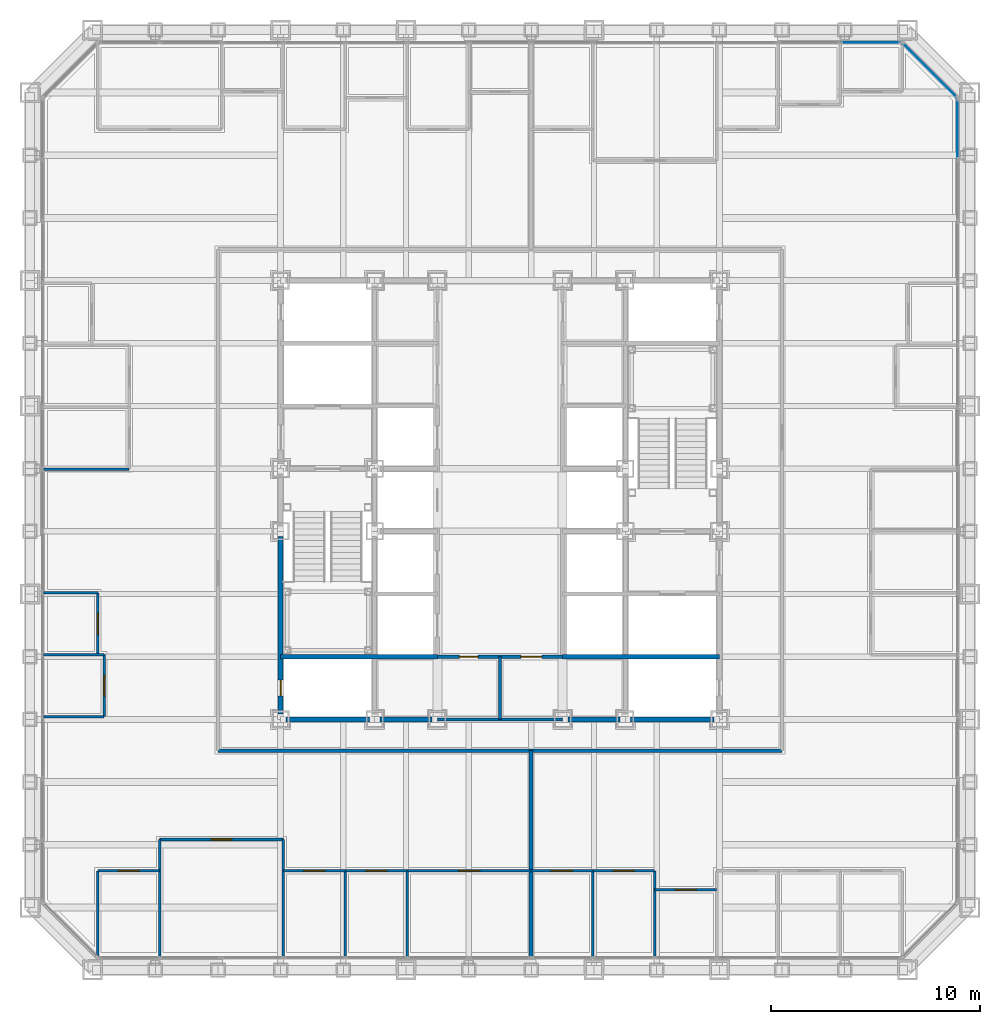
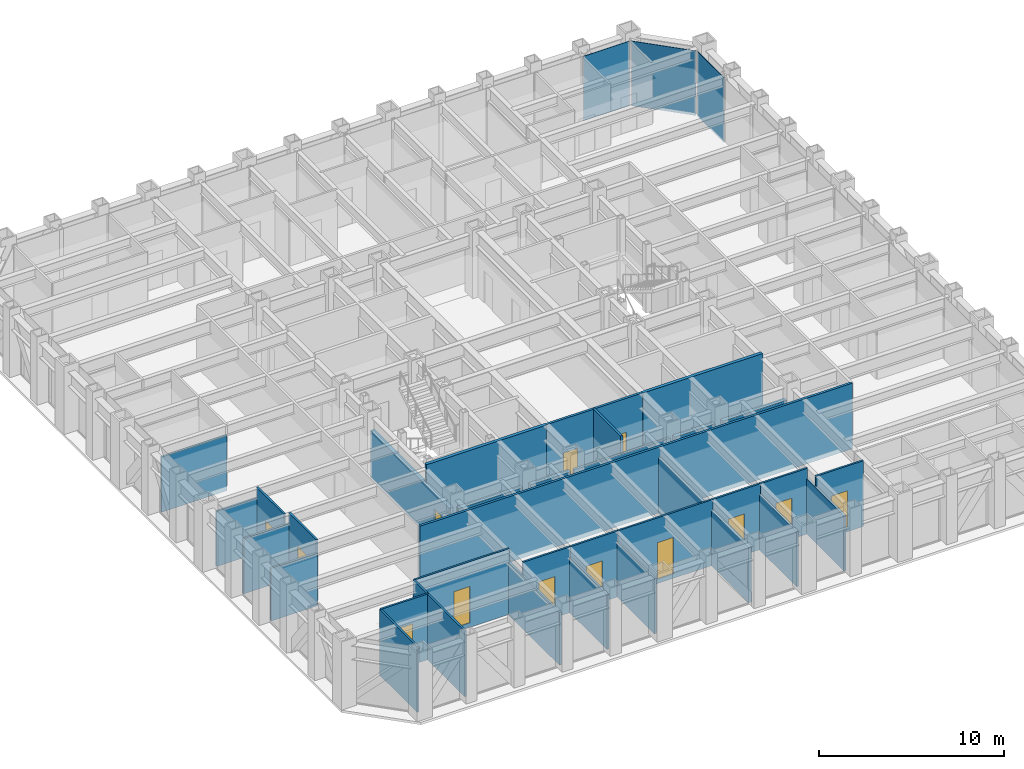
# One storey, part 8 of 16: 33 walls, 13 doors, 3 plates, 13 openings, 3 elements without a shape of their own.
"""IFC4 building model written with IfcOpenShell, lengths in metres."""

from ifc_helpers import new_model, si_unit, direction, frame, frame_2d, origin, origin_2d, place, context, subcontext, project, spatial, rectangle, extrude, material, layer, layer_set, type_object, element, fill, aggregate, save


model = new_model("IFC4")

# Units and contexts
model_context = context("Model", 3, precision=1e-05, world=origin(), true_north=direction((0.0, 1.0)))
body_context = subcontext(model_context, "Body", "Model", "MODEL_VIEW")
ifc_project = project(units=[si_unit("LENGTHUNIT", "METRE"), si_unit("AREAUNIT", "SQUARE_METRE"), si_unit("VOLUMEUNIT", "CUBIC_METRE"), si_unit("PLANEANGLEUNIT", "RADIAN"), si_unit("MASSUNIT", "GRAM", prefix="KILO")], contexts=[model_context])

# Site, building, storey
site_placement = place(None, origin())
site = spatial("IfcSite", under=ifc_project, at=site_placement, CompositionType="ELEMENT")
building_placement = place(site_placement, origin())
building = spatial("IfcBuilding", under=site, at=building_placement, Name="Chuquiago Exchange Tower", CompositionType="ELEMENT")
storey_placement = place(building_placement, frame((0.0, 0.0, 51.300048828125)))
storey = spatial("IfcBuildingStorey", under=building, at=storey_placement, Name="L10", CompositionType="ELEMENT", Elevation=51.300048828125)

# Curtain wall, plate
ifc_material_1 = material(Name="Aluminium curtain wall system", Category="aluminium")
ifc_layer_1 = layer(ifc_material_1, 0.25)
ifc_layer_set_1 = layer_set([ifc_layer_1], Name="CW1 trading floor curtain wall")
curtain_wall_type_1 = type_object("IfcCurtainWallType", Name="CW1 trading floor curtain wall", PredefinedType="NOTDEFINED", material=ifc_layer_set_1)
curtain_wall_1_placement = place(storey_placement, origin())
curtain_wall_1 = element("IfcCurtainWall", 1, at=curtain_wall_1_placement, inside=storey, type_object=curtain_wall_type_1, Name="CW1 curtain wall L10", PredefinedType="NOTDEFINED")
ifc_material_2 = material(Name="Insulated spandrel panel, pale anodised aluminium", Category="aluminium")
ifc_layer_2 = layer(ifc_material_2, 0.031982421875)
ifc_layer_set_2 = layer_set([ifc_layer_2], Name="CW1-P spandrel panel 32")
plate_type_1 = type_object("IfcPlateType", Name="CW1-P spandrel panel 32", PredefinedType="CURTAIN_PANEL", material=ifc_layer_set_2)
plate_1_placement = place(storey_placement, frame((44.39990234375, 40.251953125, -0.22509765625), z_axis=(0.0, 0.0, 1.0), x_axis=(0.0, 1.0, 0.0)))
plate_1 = element("IfcPlate", 2, at=plate_1_placement, type_object=plate_type_1, Name="CW1 panel 13.1", PredefinedType="CURTAIN_PANEL", context=body_context, shape_type="SweptSolid", body=[
    extrude(rectangle(XDim=2.849365234375, YDim=0.031982421875, at=origin_2d()), origin(), (0.0, 0.0, 1.0), 4.264892578125),
])
aggregate(curtain_wall_1, [plate_1])

curtain_wall_2_placement = place(storey_placement, origin())
curtain_wall_2 = element("IfcCurtainWall", 3, at=curtain_wall_2_placement, inside=storey, type_object=curtain_wall_type_1, Name="CW1 curtain wall L10", PredefinedType="NOTDEFINED")
plate_2_placement = place(storey_placement, frame((40.251953125, 44.39990234375, -0.22509765625), z_axis=(0.0, 0.0, 1.0), x_axis=(-1.0, 0.0, 0.0)))
plate_2 = element("IfcPlate", 4, at=plate_2_placement, type_object=plate_type_1, Name="CW1 panel 1.1", PredefinedType="CURTAIN_PANEL", context=body_context, shape_type="SweptSolid", body=[
    extrude(rectangle(XDim=2.849365234375, YDim=0.031982421875, at=origin_2d()), origin(), (0.0, 0.0, 1.0), 4.264892578125),
])
aggregate(curtain_wall_2, [plate_2])

ifc_material_3 = material(Name="Aluminium curtain wall system", Category="aluminium")
ifc_layer_3 = layer(ifc_material_3, 0.199951171875)
ifc_layer_set_3 = layer_set([ifc_layer_3], Name="CW3 facet curtain wall")
curtain_wall_type_2 = type_object("IfcCurtainWallType", Name="CW3 facet curtain wall", PredefinedType="NOTDEFINED", material=ifc_layer_set_3)
curtain_wall_3_placement = place(storey_placement, origin())
curtain_wall_3 = element("IfcCurtainWall", 5, at=curtain_wall_3_placement, inside=storey, type_object=curtain_wall_type_2, Name="CW3 curtain wall L10", PredefinedType="NOTDEFINED")
ifc_material_4 = material(Name="Insulated spandrel panel, pale anodised aluminium", Category="aluminium")
ifc_layer_4 = layer(ifc_material_4, 0.030029296875)
ifc_layer_set_4 = layer_set([ifc_layer_4], Name="CW3-P spandrel panel 30")
plate_type_2 = type_object("IfcPlateType", Name="CW3-P spandrel panel 30", PredefinedType="CURTAIN_PANEL", material=ifc_layer_set_4)
plate_3_placement = place(storey_placement, frame((43.07568359375, 43.07568359375, -0.235107421875), z_axis=(0.0, 0.0, 1.0), x_axis=(-0.707106781187, 0.707106781187, 0.0)))
plate_3 = element("IfcPlate", 6, at=plate_3_placement, type_object=plate_type_2, Name="CW3 panel 1.1", PredefinedType="CURTAIN_PANEL", context=body_context, shape_type="SweptSolid", body=[
    extrude(rectangle(XDim=3.615478515625, YDim=0.030029296875, at=origin_2d()), origin(), (0.0, 0.0, 1.0), 4.27490234375),
])
aggregate(curtain_wall_3, [plate_3])

# Wall, opening, door
ifc_material_5 = material(Name="Concrete masonry, fully grouted", Category="masonry")
ifc_layer_5 = layer(ifc_material_5, 0.25)
ifc_layer_set_5 = layer_set([ifc_layer_5], Name="W1 core wall 250")
wall_type_1 = type_object("IfcWallType", Name="W1 core wall 250", PredefinedType="SOLIDWALL", material=ifc_layer_set_5)
wall_1_placement = place(storey_placement, frame((12.0, 12.25, 0.0), z_axis=(0.0, 0.0, 1.0), x_axis=(0.0, 1.0, 0.0)))
wall_1 = element("IfcWall", 7, at=wall_1_placement, inside=storey, type_object=wall_type_1, Name="CW-L10-00-0", PredefinedType="SOLIDWALL", context=body_context, shape_type="SweptSolid", body=[
    extrude(rectangle(XDim=8.5, YDim=0.25, at=frame_2d((4.25, 0.0))), origin(), (0.0, 0.0, 1.0), 3.11279296875),
])
opening_1_placement = place(wall_1_placement, frame((0.875, 0.0, 0.0)))
opening_1 = element("IfcOpeningElement", 8, at=opening_1_placement, cuts=wall_1, Name="Opening L10-007", PredefinedType="OPENING", context=body_context, shape_type="SweptSolid", body=[
    extrude(rectangle(XDim=0.75, YDim=2.10009765625, at=frame_2d((0.375, 1.050048828125))), frame((0.0, 0.135009765625, 0.0), z_axis=(0.0, -1.0, 0.0), x_axis=(1.0, 0.0, 0.0)), (0.0, 0.0, 1.0), 0.27001953125),
])
ifc_material_6 = material(Name="Steel door, painted", Category="steel")
door_type_1 = type_object("IfcDoorType", Name="D6 riser access door 750x2100", OperationType="SINGLE_SWING_LEFT", PredefinedType="DOOR", material=ifc_material_6)
door_1_placement = place(opening_1_placement, origin())
door_1 = element("IfcDoor", 9, at=door_1_placement, inside=storey, type_object=door_type_1, Name="Riser RW1 door", OperationType="SINGLE_SWING_LEFT", OverallHeight=2.10009765625, OverallWidth=0.75, PredefinedType="DOOR", context=body_context, shape_type="SweptSolid", body=[
    extrude(rectangle(XDim=0.75, YDim=2.10009765625, at=frame_2d((0.375, 1.050048828125))), frame((0.0, 0.02490234375, 0.0), z_axis=(0.0, -1.0, 0.0), x_axis=(1.0, 0.0, 0.0)), (0.0, 0.0, 1.0), 0.050048828125),
])
fill(opening_1, door_1)

# Walls
wall_2_placement = place(storey_placement, frame((12.25, 12.0, 0.0), z_axis=(0.0, 0.0, 1.0), x_axis=(1.0, 0.0, 0.0)))
element("IfcWall", 10, at=wall_2_placement, inside=storey, type_object=wall_type_1, Name="CW-L10-01-0", PredefinedType="SOLIDWALL", context=body_context, shape_type="SweptSolid", body=[
    extrude(rectangle(XDim=4.0, YDim=0.25, at=frame_2d((2.0, 0.0))), origin(), (0.0, 0.0, 1.0), 3.181396484375),
])
for number, where, z_axis, x_axis, name in (
    (11, (16.75, 12.0, 0.0), (0.0, 0.0, 1.0), (1.0, 0.0, 0.0), "CW-L10-01-1"),
    (12, (25.75, 12.0, 0.0), (0.0, 0.0, 1.0), (1.0, 0.0, 0.0), "CW-L10-02-0"),
):
    element("IfcWall", number, at=place(storey_placement, frame(where, z_axis=z_axis, x_axis=x_axis)), inside=storey, type_object=wall_type_1, Name=name, PredefinedType="SOLIDWALL", context=body_context, shape_type="SweptSolid", body=[
        extrude(rectangle(XDim=2.5, YDim=0.25, at=frame_2d((1.25, 0.0))), origin(), (0.0, 0.0, 1.0), 3.181396484375),
    ])
wall_3_placement = place(storey_placement, frame((28.75, 12.0, 0.0), z_axis=(0.0, 0.0, 1.0), x_axis=(1.0, 0.0, 0.0)))
element("IfcWall", 13, at=wall_3_placement, inside=storey, type_object=wall_type_1, Name="CW-L10-02-1", PredefinedType="SOLIDWALL", context=body_context, shape_type="SweptSolid", body=[
    extrude(rectangle(XDim=4.0, YDim=0.25, at=frame_2d((2.0, 0.0))), origin(), (0.0, 0.0, 1.0), 3.181396484375),
])
ifc_material_7 = material(Name="Gypsum board on steel studs, acoustic insulation", Category="steel")
ifc_layer_6 = layer(ifc_material_7, 0.14990234375)
ifc_layer_set_6 = layer_set([ifc_layer_6], Name="W11 corridor wall 150")
wall_type_2 = type_object("IfcWallType", Name="W11 corridor wall 150", PredefinedType="PARTITIONING", material=ifc_layer_set_6)
wall_4_placement = place(storey_placement, frame((9.0, 10.5, -0.300048828125), z_axis=(0.0, 0.0, 1.0), x_axis=(1.0, 0.0, 0.0)))
element("IfcWall", 14, at=wall_4_placement, inside=storey, type_object=wall_type_2, Name="PW-L10-CS", PredefinedType="PARTITIONING", context=body_context, shape_type="SweptSolid", body=[
    extrude(rectangle(XDim=27.0, YDim=0.14990234375, at=frame_2d((13.5, 0.0))), origin(), (0.0, 0.0, 1.0), 4.340087890625),
])
ifc_material_8 = material(Name="Gypsum board on twin steel studs, acoustic insulation", Category="steel")
ifc_layer_7 = layer(ifc_material_8, 0.175048828125)
ifc_layer_set_7 = layer_set([ifc_layer_7], Name="W12 tenant demising wall 175")
wall_type_3 = type_object("IfcWallType", Name="W12 tenant demising wall 175", PredefinedType="PARTITIONING", material=ifc_layer_set_7)
wall_5_placement = place(storey_placement, frame((23.98095703125, 0.657470703125, -0.300048828125), z_axis=(0.0, 0.0, 1.0), x_axis=(0.0, 1.0, 0.0)))
element("IfcWall", 15, at=wall_5_placement, inside=storey, type_object=wall_type_3, Name="PW-L10-DS02398", PredefinedType="PARTITIONING", context=body_context, shape_type="SweptSolid", body=[
    extrude(rectangle(XDim=9.842529296875, YDim=0.175048828125, at=frame_2d((4.92138671875, 0.0))), origin(), (0.0, 0.0, 1.0), 3.646484375),
])
ifc_material_9 = material(Name="Concrete masonry, fully grouted", Category="masonry")
ifc_layer_8 = layer(ifc_material_9, 0.199951171875)
ifc_layer_set_8 = layer_set([ifc_layer_8], Name="W2 shaft wall 200")
wall_type_4 = type_object("IfcWallType", Name="W2 shaft wall 200", PredefinedType="SOLIDWALL", material=ifc_layer_set_8)
for number, where, z_axis, x_axis, name in (
    (16, (12.0, 15.0, 0.0), (0.0, 0.0, 1.0), (1.0, 0.0, 0.0), "CW-L10-03-0"),
    (17, (25.5, 15.0, 0.0), (0.0, 0.0, 1.0), (1.0, 0.0, 0.0), "CW-L10-04-0"),
):
    element("IfcWall", number, at=place(storey_placement, frame(where, z_axis=z_axis, x_axis=x_axis)), inside=storey, type_object=wall_type_4, Name=name, PredefinedType="SOLIDWALL", context=body_context, shape_type="SweptSolid", body=[
        extrude(rectangle(XDim=7.5, YDim=0.199951171875, at=frame_2d((3.75, 0.0))), origin(), (0.0, 0.0, 1.0), 4.33984375),
    ])

# Wall, openings, doors
ifc_material_10 = material(Name="Gypsum board on steel studs", Category="steel")
ifc_layer_9 = layer(ifc_material_10, 0.14990234375)
ifc_layer_set_9 = layer_set([ifc_layer_9], Name="W3 core partition 150")
wall_type_5 = type_object("IfcWallType", Name="W3 core partition 150", PredefinedType="PARTITIONING", material=ifc_layer_set_9)
wall_6_placement = place(storey_placement, frame((19.5, 15.0, 0.0), z_axis=(0.0, 0.0, 1.0), x_axis=(1.0, 0.0, 0.0)))
wall_6 = element("IfcWall", 18, at=wall_6_placement, inside=storey, type_object=wall_type_5, Name="CW-L10-TF", PredefinedType="PARTITIONING", context=body_context, shape_type="SweptSolid", body=[
    extrude(rectangle(XDim=6.0, YDim=0.14990234375, at=frame_2d((3.0, 0.0))), origin(), (0.0, 0.0, 1.0), 4.33984375),
])
opening_2_placement = place(wall_6_placement, frame((4.0, 0.0, 0.0)))
opening_2 = element("IfcOpeningElement", 19, at=opening_2_placement, cuts=wall_6, Name="Opening L10-015", PredefinedType="OPENING", context=body_context, shape_type="SweptSolid", body=[
    extrude(rectangle(XDim=1.0, YDim=2.10009765625, at=frame_2d((0.5, 1.050048828125))), frame((0.0, 0.0849609375, 0.0), z_axis=(0.0, -1.0, 0.0), x_axis=(1.0, 0.0, 0.0)), (0.0, 0.0, 1.0), 0.169921875),
])
opening_3_placement = place(wall_6_placement, frame((1.050048828125, 0.0, 0.0)))
opening_3 = element("IfcOpeningElement", 20, at=opening_3_placement, cuts=wall_6, Name="Opening L10-016", PredefinedType="OPENING", context=body_context, shape_type="SweptSolid", body=[
    extrude(rectangle(XDim=0.89990234375, YDim=2.10009765625, at=frame_2d((0.449951171875, 1.050048828125))), frame((0.0, 0.0849609375, 0.0), z_axis=(0.0, -1.0, 0.0), x_axis=(1.0, 0.0, 0.0)), (0.0, 0.0, 1.0), 0.169921875),
])
ifc_material_11 = material(Name="Timber door, laminate faced", Category="wood")
door_type_2 = type_object("IfcDoorType", Name="D7 toilet door 900x2100", OperationType="SINGLE_SWING_LEFT", PredefinedType="DOOR", material=ifc_material_11)
door_2_placement = place(opening_3_placement, origin())
door_2 = element("IfcDoor", 21, at=door_2_placement, inside=storey, type_object=door_type_2, Name="Cleaner door", OperationType="SINGLE_SWING_LEFT", OverallHeight=2.10009765625, OverallWidth=0.89990234375, PredefinedType="DOOR", context=body_context, shape_type="SweptSolid", body=[
    extrude(rectangle(XDim=0.89990234375, YDim=2.10009765625, at=frame_2d((0.449951171875, 1.050048828125))), frame((0.0, 0.02490234375, 0.0), z_axis=(0.0, -1.0, 0.0), x_axis=(1.0, 0.0, 0.0)), (0.0, 0.0, 1.0), 0.050048828125),
])
fill(opening_3, door_2)
ifc_material_12 = material(Name="Timber door, laminate faced", Category="wood")
door_type_3 = type_object("IfcDoorType", Name="D8 accessible toilet door 1000x2100", OperationType="SLIDING_TO_LEFT", PredefinedType="DOOR", material=ifc_material_12)
door_3_placement = place(opening_2_placement, origin())
door_3 = element("IfcDoor", 22, at=door_3_placement, inside=storey, type_object=door_type_3, Name="Accessible WC door", OperationType="SLIDING_TO_LEFT", OverallHeight=2.10009765625, OverallWidth=1.0, PredefinedType="DOOR", context=body_context, shape_type="SweptSolid", body=[
    extrude(rectangle(XDim=1.0, YDim=2.10009765625, at=frame_2d((0.5, 1.050048828125))), frame((0.0, 0.02490234375, 0.0), z_axis=(0.0, -1.0, 0.0), x_axis=(1.0, 0.0, 0.0)), (0.0, 0.0, 1.0), 0.050048828125),
])
fill(opening_2, door_3)

# Walls
wall_7_placement = place(storey_placement, frame((22.5, 15.0, 0.0), z_axis=(0.0, 0.0, 1.0), x_axis=(0.0, -1.0, 0.0)))
element("IfcWall", 23, at=wall_7_placement, inside=storey, type_object=wall_type_5, Name="CW-L10-TM", PredefinedType="PARTITIONING", context=body_context, shape_type="SweptSolid", body=[
    extrude(rectangle(XDim=3.0, YDim=0.14990234375, at=frame_2d((1.5, 0.0))), origin(), (0.0, 0.0, 1.0), 4.33984375),
])
wall_8_placement = place(storey_placement, frame((19.5, 12.0, 0.0), z_axis=(0.0, 0.0, 1.0), x_axis=(1.0, 0.0, 0.0)))
element("IfcWall", 24, at=wall_8_placement, inside=storey, type_object=wall_type_5, Name="CW-L10-TB", PredefinedType="PARTITIONING", context=body_context, shape_type="SweptSolid", body=[
    extrude(rectangle(XDim=6.0, YDim=0.14990234375, at=frame_2d((3.0, 0.0))), origin(), (0.0, 0.0, 1.0), 3.181396484375),
])
ifc_material_13 = material(Name="Gypsum board on steel studs", Category="steel")
ifc_layer_10 = layer(ifc_material_13, 0.1201171875)
ifc_layer_set_10 = layer_set([ifc_layer_10], Name="W4 partition 120")
wall_type_6 = type_object("IfcWallType", Name="W4 partition 120", PredefinedType="PARTITIONING", material=ifc_layer_set_10)
wall_9_placement = place(storey_placement, frame((3.24853515625, 0.666015625, -0.300048828125), z_axis=(0.0, 0.0, 1.0), x_axis=(0.0, 1.0, 0.0)))
element("IfcWall", 25, at=wall_9_placement, inside=storey, type_object=wall_type_6, Name="PW-L10-S00325", PredefinedType="PARTITIONING", context=body_context, shape_type="SweptSolid", body=[
    extrude(rectangle(XDim=4.083984375, YDim=0.1201171875, at=frame_2d((2.0419921875, 0.0))), origin(), (0.0, 0.0, 1.0), 4.340087890625),
])
wall_10_placement = place(storey_placement, frame((6.210205078125, 0.657470703125, -0.300048828125), z_axis=(0.0, 0.0, 1.0), x_axis=(0.0, 1.0, 0.0)))
element("IfcWall", 26, at=wall_10_placement, inside=storey, type_object=wall_type_6, Name="PW-L10-S00621", PredefinedType="PARTITIONING", context=body_context, shape_type="SweptSolid", body=[
    extrude(rectangle(XDim=5.592529296875, YDim=0.1201171875, at=frame_2d((2.79638671875, 0.0))), origin(), (0.0, 0.0, 1.0), 4.340087890625),
])
wall_11_placement = place(storey_placement, frame((12.1337890625, 0.657470703125, -0.300048828125), z_axis=(0.0, 0.0, 1.0), x_axis=(0.0, 1.0, 0.0)))
element("IfcWall", 27, at=wall_11_placement, inside=storey, type_object=wall_type_6, Name="PW-L10-S01213", PredefinedType="PARTITIONING", context=body_context, shape_type="SweptSolid", body=[
    extrude(rectangle(XDim=5.592529296875, YDim=0.1201171875, at=frame_2d((2.79638671875, 0.0))), origin(), (0.0, 0.0, 1.0), 3.4814453125),
])
for number, where, z_axis, x_axis, name in (
    (28, (15.095703125, 0.657470703125, -0.300048828125), (0.0, 0.0, 1.0), (0.0, 1.0, 0.0), "PW-L10-S01510"),
    (29, (18.057373046875, 0.657470703125, -0.300048828125), (0.0, 0.0, 1.0), (0.0, 1.0, 0.0), "PW-L10-S01806"),
    (30, (26.942626953125, 0.657470703125, -0.300048828125), (0.0, 0.0, 1.0), (0.0, 1.0, 0.0), "PW-L10-S02694"),
    (31, (29.904296875, 0.657470703125, -0.300048828125), (0.0, 0.0, 1.0), (0.0, 1.0, 0.0), "PW-L10-S02990"),
):
    element("IfcWall", number, at=place(storey_placement, frame(where, z_axis=z_axis, x_axis=x_axis)), inside=storey, type_object=wall_type_6, Name=name, PredefinedType="PARTITIONING", context=body_context, shape_type="SweptSolid", body=[
        extrude(rectangle(XDim=4.092529296875, YDim=0.1201171875, at=frame_2d((2.04638671875, 0.0))), origin(), (0.0, 0.0, 1.0), 3.646484375),
    ])

# Wall, opening, door
wall_12_placement = place(storey_placement, frame((3.24853515625, 4.75, -0.300048828125), z_axis=(0.0, 0.0, 1.0), x_axis=(1.0, 0.0, 0.0)))
wall_12 = element("IfcWall", 32, at=wall_12_placement, inside=storey, type_object=wall_type_6, Name="PW-L10-SF00325", PredefinedType="PARTITIONING", context=body_context, shape_type="SweptSolid", body=[
    extrude(rectangle(XDim=2.961669921875, YDim=0.1201171875, at=frame_2d((1.48095703125, 0.0))), origin(), (0.0, 0.0, 1.0), 4.340087890625),
])
opening_4_placement = place(wall_12_placement, frame((0.98095703125, 0.0, 0.300048828125)))
opening_4 = element("IfcOpeningElement", 33, at=opening_4_placement, cuts=wall_12, Name="Opening L10-021", PredefinedType="OPENING", context=body_context, shape_type="SweptSolid", body=[
    extrude(rectangle(XDim=1.0, YDim=2.39990234375, at=frame_2d((0.5, 1.199951171875))), frame((0.0, 0.070068359375, 0.0), z_axis=(0.0, -1.0, 0.0), x_axis=(1.0, 0.0, 0.0)), (0.0, 0.0, 1.0), 0.14013671875),
])
ifc_material_14 = material(Name="Timber door, laminate faced", Category="wood")
door_type_4 = type_object("IfcDoorType", Name="D9 room door 1000x2400", OperationType="SINGLE_SWING_LEFT", PredefinedType="DOOR", material=ifc_material_14)
door_4_placement = place(opening_4_placement, frame((1.0, 0.0, 0.0), z_axis=(0.0, 0.0, 1.0), x_axis=(-1.0, 0.0, 0.0)))
door_4 = element("IfcDoor", 34, at=door_4_placement, inside=storey, type_object=door_type_4, Name="Trading support room door", OperationType="SINGLE_SWING_RIGHT", OverallHeight=2.39990234375, OverallWidth=1.0, PredefinedType="DOOR", context=body_context, shape_type="SweptSolid", body=[
    extrude(rectangle(XDim=1.0, YDim=2.39990234375, at=frame_2d((0.5, 1.199951171875))), frame((0.0, 0.02490234375, 0.0), z_axis=(0.0, -1.0, 0.0), x_axis=(1.0, 0.0, 0.0)), (0.0, 0.0, 1.0), 0.050048828125),
])
fill(opening_4, door_4)

wall_13_placement = place(storey_placement, frame((6.210205078125, 6.25, -0.300048828125), z_axis=(0.0, 0.0, 1.0), x_axis=(1.0, 0.0, 0.0)))
wall_13 = element("IfcWall", 35, at=wall_13_placement, inside=storey, type_object=wall_type_6, Name="PW-L10-SF00621", PredefinedType="PARTITIONING", context=body_context, shape_type="SweptSolid", body=[
    extrude(rectangle(XDim=5.923583984375, YDim=0.1201171875, at=frame_2d((2.9619140625, 0.0))), origin(), (0.0, 0.0, 1.0), 4.340087890625),
])
opening_5_placement = place(wall_13_placement, frame((2.4619140625, 0.0, 0.300048828125)))
opening_5 = element("IfcOpeningElement", 36, at=opening_5_placement, cuts=wall_13, Name="Opening L10-022", PredefinedType="OPENING", context=body_context, shape_type="SweptSolid", body=[
    extrude(rectangle(XDim=1.0, YDim=2.39990234375, at=frame_2d((0.5, 1.199951171875))), frame((0.0, 0.070068359375, 0.0), z_axis=(0.0, -1.0, 0.0), x_axis=(1.0, 0.0, 0.0)), (0.0, 0.0, 1.0), 0.14013671875),
])
door_5_placement = place(opening_5_placement, frame((1.0, 0.0, 0.0), z_axis=(0.0, 0.0, 1.0), x_axis=(-1.0, 0.0, 0.0)))
door_5 = element("IfcDoor", 37, at=door_5_placement, inside=storey, type_object=door_type_4, Name="Market data room door", OperationType="SINGLE_SWING_LEFT", OverallHeight=2.39990234375, OverallWidth=1.0, PredefinedType="DOOR", context=body_context, shape_type="SweptSolid", body=[
    extrude(rectangle(XDim=1.0, YDim=2.39990234375, at=frame_2d((0.5, 1.199951171875))), frame((0.0, 0.02490234375, 0.0), z_axis=(0.0, -1.0, 0.0), x_axis=(1.0, 0.0, 0.0)), (0.0, 0.0, 1.0), 0.050048828125),
])
fill(opening_5, door_5)

wall_14_placement = place(storey_placement, frame((12.1337890625, 4.75, -0.300048828125), z_axis=(0.0, 0.0, 1.0), x_axis=(1.0, 0.0, 0.0)))
wall_14 = element("IfcWall", 38, at=wall_14_placement, inside=storey, type_object=wall_type_6, Name="PW-L10-SF01213", PredefinedType="PARTITIONING", context=body_context, shape_type="SweptSolid", body=[
    extrude(rectangle(XDim=2.9619140625, YDim=0.1201171875, at=frame_2d((1.48095703125, 0.0))), origin(), (0.0, 0.0, 1.0), 4.340087890625),
])
opening_6_placement = place(wall_14_placement, frame((0.98095703125, 0.0, 0.300048828125)))
opening_6 = element("IfcOpeningElement", 39, at=opening_6_placement, cuts=wall_14, Name="Opening L10-023", PredefinedType="OPENING", context=body_context, shape_type="SweptSolid", body=[
    extrude(rectangle(XDim=1.0, YDim=2.39990234375, at=frame_2d((0.5, 1.199951171875))), frame((0.0, 0.070068359375, 0.0), z_axis=(0.0, -1.0, 0.0), x_axis=(1.0, 0.0, 0.0)), (0.0, 0.0, 1.0), 0.14013671875),
])
door_6_placement = place(opening_6_placement, frame((1.0, 0.0, 0.0), z_axis=(0.0, 0.0, 1.0), x_axis=(-1.0, 0.0, 0.0)))
door_6 = element("IfcDoor", 40, at=door_6_placement, inside=storey, type_object=door_type_4, Name="Office door", OperationType="SINGLE_SWING_LEFT", OverallHeight=2.39990234375, OverallWidth=1.0, PredefinedType="DOOR", context=body_context, shape_type="SweptSolid", body=[
    extrude(rectangle(XDim=1.0, YDim=2.39990234375, at=frame_2d((0.5, 1.199951171875))), frame((0.0, 0.02490234375, 0.0), z_axis=(0.0, -1.0, 0.0), x_axis=(1.0, 0.0, 0.0)), (0.0, 0.0, 1.0), 0.050048828125),
])
fill(opening_6, door_6)

wall_15_placement = place(storey_placement, frame((15.095703125, 4.75, -0.300048828125), z_axis=(0.0, 0.0, 1.0), x_axis=(1.0, 0.0, 0.0)))
wall_15 = element("IfcWall", 41, at=wall_15_placement, inside=storey, type_object=wall_type_6, Name="PW-L10-SF01510", PredefinedType="PARTITIONING", context=body_context, shape_type="SweptSolid", body=[
    extrude(rectangle(XDim=2.961669921875, YDim=0.1201171875, at=frame_2d((1.48095703125, 0.0))), origin(), (0.0, 0.0, 1.0), 4.340087890625),
])
opening_7_placement = place(wall_15_placement, frame((0.98095703125, 0.0, 0.300048828125)))
opening_7 = element("IfcOpeningElement", 42, at=opening_7_placement, cuts=wall_15, Name="Opening L10-024", PredefinedType="OPENING", context=body_context, shape_type="SweptSolid", body=[
    extrude(rectangle(XDim=1.0, YDim=2.39990234375, at=frame_2d((0.5, 1.199951171875))), frame((0.0, 0.070068359375, 0.0), z_axis=(0.0, -1.0, 0.0), x_axis=(1.0, 0.0, 0.0)), (0.0, 0.0, 1.0), 0.14013671875),
])
door_7_placement = place(opening_7_placement, frame((1.0, 0.0, 0.0), z_axis=(0.0, 0.0, 1.0), x_axis=(-1.0, 0.0, 0.0)))
door_7 = element("IfcDoor", 43, at=door_7_placement, inside=storey, type_object=door_type_4, Name="Office door", OperationType="SINGLE_SWING_RIGHT", OverallHeight=2.39990234375, OverallWidth=1.0, PredefinedType="DOOR", context=body_context, shape_type="SweptSolid", body=[
    extrude(rectangle(XDim=1.0, YDim=2.39990234375, at=frame_2d((0.5, 1.199951171875))), frame((0.0, 0.02490234375, 0.0), z_axis=(0.0, -1.0, 0.0), x_axis=(1.0, 0.0, 0.0)), (0.0, 0.0, 1.0), 0.050048828125),
])
fill(opening_7, door_7)

wall_16_placement = place(storey_placement, frame((18.057373046875, 4.75, -0.300048828125), z_axis=(0.0, 0.0, 1.0), x_axis=(1.0, 0.0, 0.0)))
wall_16 = element("IfcWall", 44, at=wall_16_placement, inside=storey, type_object=wall_type_6, Name="PW-L10-SF01806", PredefinedType="PARTITIONING", context=body_context, shape_type="SweptSolid", body=[
    extrude(rectangle(XDim=5.923583984375, YDim=0.1201171875, at=frame_2d((2.9619140625, 0.0))), origin(), (0.0, 0.0, 1.0), 4.340087890625),
])
opening_8_placement = place(wall_16_placement, frame((2.461669921875, 0.0, 0.300048828125)))
opening_8 = element("IfcOpeningElement", 45, at=opening_8_placement, cuts=wall_16, Name="Opening L10-025", PredefinedType="OPENING", context=body_context, shape_type="SweptSolid", body=[
    extrude(rectangle(XDim=1.0, YDim=2.39990234375, at=frame_2d((0.5, 1.199951171875))), frame((0.0, 0.070068359375, 0.0), z_axis=(0.0, -1.0, 0.0), x_axis=(1.0, 0.0, 0.0)), (0.0, 0.0, 1.0), 0.14013671875),
])
ifc_material_15 = material(Name="Timber frame door, full height glazed panel", Category="wood")
door_type_5 = type_object("IfcDoorType", Name="D14 glazed meeting room door 1000x2400", OperationType="SINGLE_SWING_LEFT", PredefinedType="DOOR", material=ifc_material_15)
door_8_placement = place(opening_8_placement, frame((1.0, 0.0, 0.0), z_axis=(0.0, 0.0, 1.0), x_axis=(-1.0, 0.0, 0.0)))
door_8 = element("IfcDoor", 46, at=door_8_placement, inside=storey, type_object=door_type_5, Name="Meeting room door", OperationType="SINGLE_SWING_LEFT", OverallHeight=2.39990234375, OverallWidth=1.0, PredefinedType="DOOR", context=body_context, shape_type="SweptSolid", body=[
    extrude(rectangle(XDim=1.0, YDim=2.39990234375, at=frame_2d((0.5, 1.199951171875))), frame((0.0, 0.02490234375, 0.0), z_axis=(0.0, -1.0, 0.0), x_axis=(1.0, 0.0, 0.0)), (0.0, 0.0, 1.0), 0.050048828125),
])
fill(opening_8, door_8)

wall_17_placement = place(storey_placement, frame((23.98095703125, 4.75, -0.300048828125), z_axis=(0.0, 0.0, 1.0), x_axis=(1.0, 0.0, 0.0)))
wall_17 = element("IfcWall", 47, at=wall_17_placement, inside=storey, type_object=wall_type_6, Name="PW-L10-SF02398", PredefinedType="PARTITIONING", context=body_context, shape_type="SweptSolid", body=[
    extrude(rectangle(XDim=2.961669921875, YDim=0.1201171875, at=frame_2d((1.48095703125, 0.0))), origin(), (0.0, 0.0, 1.0), 4.340087890625),
])
opening_9_placement = place(wall_17_placement, frame((0.98095703125, 0.0, 0.300048828125)))
opening_9 = element("IfcOpeningElement", 48, at=opening_9_placement, cuts=wall_17, Name="Opening L10-026", PredefinedType="OPENING", context=body_context, shape_type="SweptSolid", body=[
    extrude(rectangle(XDim=1.0, YDim=2.39990234375, at=frame_2d((0.5, 1.199951171875))), frame((0.0, 0.070068359375, 0.0), z_axis=(0.0, -1.0, 0.0), x_axis=(1.0, 0.0, 0.0)), (0.0, 0.0, 1.0), 0.14013671875),
])
door_9_placement = place(opening_9_placement, frame((1.0, 0.0, 0.0), z_axis=(0.0, 0.0, 1.0), x_axis=(-1.0, 0.0, 0.0)))
door_9 = element("IfcDoor", 49, at=door_9_placement, inside=storey, type_object=door_type_4, Name="Office door", OperationType="SINGLE_SWING_RIGHT", OverallHeight=2.39990234375, OverallWidth=1.0, PredefinedType="DOOR", context=body_context, shape_type="SweptSolid", body=[
    extrude(rectangle(XDim=1.0, YDim=2.39990234375, at=frame_2d((0.5, 1.199951171875))), frame((0.0, 0.02490234375, 0.0), z_axis=(0.0, -1.0, 0.0), x_axis=(1.0, 0.0, 0.0)), (0.0, 0.0, 1.0), 0.050048828125),
])
fill(opening_9, door_9)

wall_18_placement = place(storey_placement, frame((26.942626953125, 4.75, -0.300048828125), z_axis=(0.0, 0.0, 1.0), x_axis=(1.0, 0.0, 0.0)))
wall_18 = element("IfcWall", 50, at=wall_18_placement, inside=storey, type_object=wall_type_6, Name="PW-L10-SF02694", PredefinedType="PARTITIONING", context=body_context, shape_type="SweptSolid", body=[
    extrude(rectangle(XDim=2.961669921875, YDim=0.1201171875, at=frame_2d((1.48095703125, 0.0))), origin(), (0.0, 0.0, 1.0), 4.340087890625),
])
opening_10_placement = place(wall_18_placement, frame((0.98095703125, 0.0, 0.300048828125)))
opening_10 = element("IfcOpeningElement", 51, at=opening_10_placement, cuts=wall_18, Name="Opening L10-027", PredefinedType="OPENING", context=body_context, shape_type="SweptSolid", body=[
    extrude(rectangle(XDim=1.0, YDim=2.39990234375, at=frame_2d((0.5, 1.199951171875))), frame((0.0, 0.070068359375, 0.0), z_axis=(0.0, -1.0, 0.0), x_axis=(1.0, 0.0, 0.0)), (0.0, 0.0, 1.0), 0.14013671875),
])
door_10_placement = place(opening_10_placement, frame((1.0, 0.0, 0.0), z_axis=(0.0, 0.0, 1.0), x_axis=(-1.0, 0.0, 0.0)))
door_10 = element("IfcDoor", 52, at=door_10_placement, inside=storey, type_object=door_type_4, Name="Office door", OperationType="SINGLE_SWING_RIGHT", OverallHeight=2.39990234375, OverallWidth=1.0, PredefinedType="DOOR", context=body_context, shape_type="SweptSolid", body=[
    extrude(rectangle(XDim=1.0, YDim=2.39990234375, at=frame_2d((0.5, 1.199951171875))), frame((0.0, 0.02490234375, 0.0), z_axis=(0.0, -1.0, 0.0), x_axis=(1.0, 0.0, 0.0)), (0.0, 0.0, 1.0), 0.050048828125),
])
fill(opening_10, door_10)

wall_19_placement = place(storey_placement, frame((29.904296875, 3.85009765625, -0.300048828125), z_axis=(0.0, 0.0, 1.0), x_axis=(1.0, 0.0, 0.0)))
wall_19 = element("IfcWall", 53, at=wall_19_placement, inside=storey, type_object=wall_type_6, Name="PW-L10-SF02990", PredefinedType="PARTITIONING", context=body_context, shape_type="SweptSolid", body=[
    extrude(rectangle(XDim=2.9619140625, YDim=0.1201171875, at=frame_2d((1.48095703125, 0.0))), origin(), (0.0, 0.0, 1.0), 4.340087890625),
])
opening_11_placement = place(wall_19_placement, frame((0.98095703125, 0.0, 0.300048828125)))
opening_11 = element("IfcOpeningElement", 54, at=opening_11_placement, cuts=wall_19, Name="Opening L10-028", PredefinedType="OPENING", context=body_context, shape_type="SweptSolid", body=[
    extrude(rectangle(XDim=1.0, YDim=2.39990234375, at=frame_2d((0.5, 1.199951171875))), frame((0.0, 0.070068359375, 0.0), z_axis=(0.0, -1.0, 0.0), x_axis=(1.0, 0.0, 0.0)), (0.0, 0.0, 1.0), 0.14013671875),
])
door_11_placement = place(opening_11_placement, frame((1.0, 0.0, 0.0), z_axis=(0.0, 0.0, 1.0), x_axis=(-1.0, 0.0, 0.0)))
door_11 = element("IfcDoor", 55, at=door_11_placement, inside=storey, type_object=door_type_4, Name="Comms room door", OperationType="SINGLE_SWING_RIGHT", OverallHeight=2.39990234375, OverallWidth=1.0, PredefinedType="DOOR", context=body_context, shape_type="SweptSolid", body=[
    extrude(rectangle(XDim=1.0, YDim=2.39990234375, at=frame_2d((0.5, 1.199951171875))), frame((0.0, 0.02490234375, 0.0), z_axis=(0.0, -1.0, 0.0), x_axis=(1.0, 0.0, 0.0)), (0.0, 0.0, 1.0), 0.050048828125),
])
fill(opening_11, door_11)

# Walls
wall_20_placement = place(storey_placement, frame((0.657470703125, 12.1337890625, -0.300048828125), z_axis=(0.0, 0.0, 1.0), x_axis=(1.0, 0.0, 0.0)))
element("IfcWall", 56, at=wall_20_placement, inside=storey, type_object=wall_type_6, Name="PW-L10-W01213", PredefinedType="PARTITIONING", context=body_context, shape_type="SweptSolid", body=[
    extrude(rectangle(XDim=2.892578125, YDim=0.1201171875, at=frame_2d((1.4462890625, 0.0))), origin(), (0.0, 0.0, 1.0), 3.4814453125),
])
wall_21_placement = place(storey_placement, frame((0.657470703125, 15.095703125, -0.300048828125), z_axis=(0.0, 0.0, 1.0), x_axis=(1.0, 0.0, 0.0)))
element("IfcWall", 57, at=wall_21_placement, inside=storey, type_object=wall_type_6, Name="PW-L10-W01510", PredefinedType="PARTITIONING", context=body_context, shape_type="SweptSolid", body=[
    extrude(rectangle(XDim=2.892578125, YDim=0.1201171875, at=frame_2d((1.4462890625, 0.0))), origin(), (0.0, 0.0, 1.0), 3.646484375),
])
wall_22_placement = place(storey_placement, frame((0.657470703125, 18.057373046875, -0.300048828125), z_axis=(0.0, 0.0, 1.0), x_axis=(1.0, 0.0, 0.0)))
element("IfcWall", 58, at=wall_22_placement, inside=storey, type_object=wall_type_6, Name="PW-L10-W01806", PredefinedType="PARTITIONING", context=body_context, shape_type="SweptSolid", body=[
    extrude(rectangle(XDim=2.592529296875, YDim=0.1201171875, at=frame_2d((1.29638671875, 0.0))), origin(), (0.0, 0.0, 1.0), 3.646484375),
])
wall_23_placement = place(storey_placement, frame((0.657470703125, 23.98095703125, -0.300048828125), z_axis=(0.0, 0.0, 1.0), x_axis=(1.0, 0.0, 0.0)))
element("IfcWall", 59, at=wall_23_placement, inside=storey, type_object=wall_type_6, Name="PW-L10-W02398", PredefinedType="PARTITIONING", context=body_context, shape_type="SweptSolid", body=[
    extrude(rectangle(XDim=4.092529296875, YDim=0.1201171875, at=frame_2d((2.04638671875, 0.0))), origin(), (0.0, 0.0, 1.0), 3.646484375),
])

# Wall, opening, door
wall_24_placement = place(storey_placement, frame((3.550048828125, 12.1337890625, -0.300048828125), z_axis=(0.0, 0.0, 1.0), x_axis=(0.0, 1.0, 0.0)))
wall_24 = element("IfcWall", 60, at=wall_24_placement, inside=storey, type_object=wall_type_6, Name="PW-L10-WF01213", PredefinedType="PARTITIONING", context=body_context, shape_type="SweptSolid", body=[
    extrude(rectangle(XDim=2.9619140625, YDim=0.1201171875, at=frame_2d((1.48095703125, 0.0))), origin(), (0.0, 0.0, 1.0), 4.340087890625),
])
opening_12_placement = place(wall_24_placement, frame((0.98095703125, 0.0, 0.300048828125)))
opening_12 = element("IfcOpeningElement", 61, at=opening_12_placement, cuts=wall_24, Name="Opening L10-048", PredefinedType="OPENING", context=body_context, shape_type="SweptSolid", body=[
    extrude(rectangle(XDim=1.0, YDim=2.39990234375, at=frame_2d((0.5, 1.199951171875))), frame((0.0, 0.070068359375, 0.0), z_axis=(0.0, -1.0, 0.0), x_axis=(1.0, 0.0, 0.0)), (0.0, 0.0, 1.0), 0.14013671875),
])
door_12_placement = place(opening_12_placement, origin())
door_12 = element("IfcDoor", 62, at=door_12_placement, inside=storey, type_object=door_type_4, Name="Pantry door", OperationType="SINGLE_SWING_RIGHT", OverallHeight=2.39990234375, OverallWidth=1.0, PredefinedType="DOOR", context=body_context, shape_type="SweptSolid", body=[
    extrude(rectangle(XDim=1.0, YDim=2.39990234375, at=frame_2d((0.5, 1.199951171875))), frame((0.0, 0.02490234375, 0.0), z_axis=(0.0, -1.0, 0.0), x_axis=(1.0, 0.0, 0.0)), (0.0, 0.0, 1.0), 0.050048828125),
])
fill(opening_12, door_12)

wall_25_placement = place(storey_placement, frame((3.25, 15.095703125, -0.300048828125), z_axis=(0.0, 0.0, 1.0), x_axis=(0.0, 1.0, 0.0)))
wall_25 = element("IfcWall", 63, at=wall_25_placement, inside=storey, type_object=wall_type_6, Name="PW-L10-WF01510", PredefinedType="PARTITIONING", context=body_context, shape_type="SweptSolid", body=[
    extrude(rectangle(XDim=2.961669921875, YDim=0.1201171875, at=frame_2d((1.48095703125, 0.0))), origin(), (0.0, 0.0, 1.0), 4.340087890625),
])
opening_13_placement = place(wall_25_placement, frame((0.98095703125, 0.0, 0.300048828125)))
opening_13 = element("IfcOpeningElement", 64, at=opening_13_placement, cuts=wall_25, Name="Opening L10-049", PredefinedType="OPENING", context=body_context, shape_type="SweptSolid", body=[
    extrude(rectangle(XDim=1.0, YDim=2.39990234375, at=frame_2d((0.5, 1.199951171875))), frame((0.0, 0.070068359375, 0.0), z_axis=(0.0, -1.0, 0.0), x_axis=(1.0, 0.0, 0.0)), (0.0, 0.0, 1.0), 0.14013671875),
])
door_13_placement = place(opening_13_placement, origin())
door_13 = element("IfcDoor", 65, at=door_13_placement, inside=storey, type_object=door_type_4, Name="Store door", OperationType="SINGLE_SWING_LEFT", OverallHeight=2.39990234375, OverallWidth=1.0, PredefinedType="DOOR", context=body_context, shape_type="SweptSolid", body=[
    extrude(rectangle(XDim=1.0, YDim=2.39990234375, at=frame_2d((0.5, 1.199951171875))), frame((0.0, 0.02490234375, 0.0), z_axis=(0.0, -1.0, 0.0), x_axis=(1.0, 0.0, 0.0)), (0.0, 0.0, 1.0), 0.050048828125),
])
fill(opening_13, door_13)

save(model, "model.ifc")
